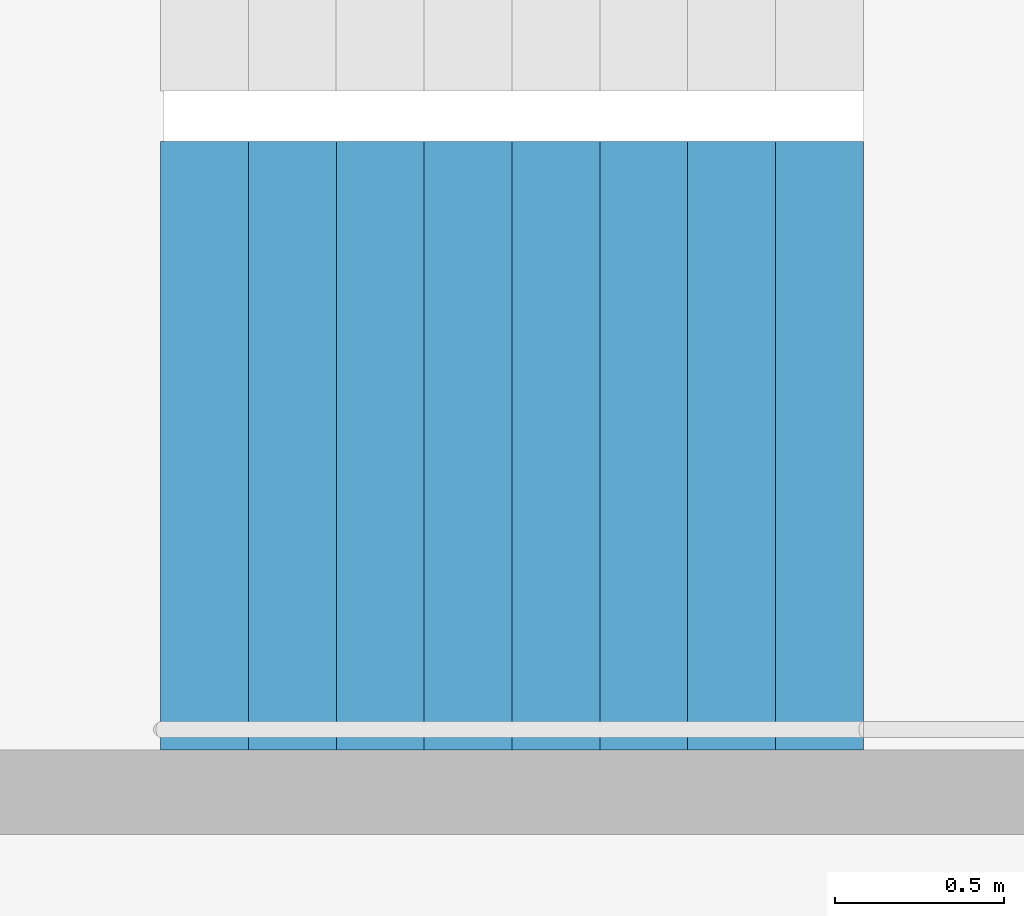
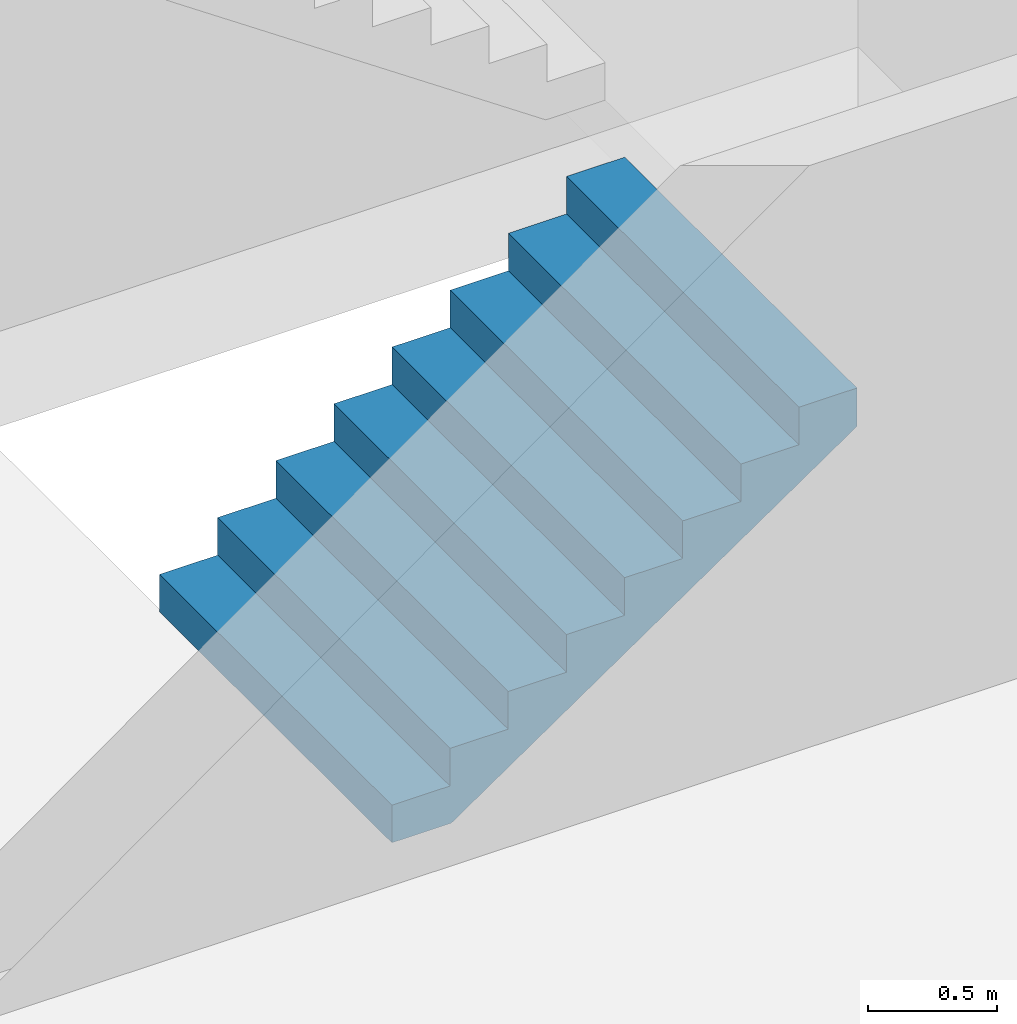
# One storey, part 19 of 30: 1 stair flight, 1 element without a shape of its own.
"""IFC4 building model written with IfcOpenShell, lengths in metres."""

from ifc_helpers import new_model, si_unit, direction, frame, origin, place, context, subcontext, project, spatial, triangles, material, type_object, element, aggregate, save


model = new_model("IFC4")

# Units and contexts
model_context = context("Model", 3, precision=1e-05, world=origin(), true_north=direction((0.0, 1.0)))
body_context = subcontext(model_context, "Body", "Model", "MODEL_VIEW")
ifc_project = project(units=[si_unit("LENGTHUNIT", "METRE"), si_unit("AREAUNIT", "SQUARE_METRE"), si_unit("VOLUMEUNIT", "CUBIC_METRE"), si_unit("PLANEANGLEUNIT", "RADIAN"), si_unit("MASSUNIT", "GRAM", prefix="KILO")], contexts=[model_context])

# Site, building, storey
site_placement = place(None, origin())
site = spatial("IfcSite", under=ifc_project, at=site_placement, CompositionType="ELEMENT")
building_placement = place(site_placement, origin())
building = spatial("IfcBuilding", under=site, at=building_placement, Name="Hakoniwa Tower and Hamabe Station Hall", CompositionType="ELEMENT")
storey_placement = place(building_placement, frame((0.0, 0.0, 137.39990234375)))
storey = spatial("IfcBuildingStorey", under=building, at=storey_placement, Name="L38", CompositionType="ELEMENT", Elevation=137.39990234375)

# Stair, stair flight
ifc_material_1 = material(Name="Concrete C40", Category="concrete")
stair_type = type_object("IfcStairType", Name="ESCAPE STAIR 1800", PredefinedType="HALF_TURN_STAIR", material=ifc_material_1)
stair_placement = place(storey_placement, origin())
stair = element("IfcStair", 1, at=stair_placement, inside=storey, type_object=stair_type, Name="Escape stair ST-1 L38", PredefinedType="HALF_TURN_STAIR")
ifc_material_2 = material(Name="Concrete C40", Category="concrete")
stair_flight_type = type_object("IfcStairFlightType", Name="STAIR FLIGHT 1800", PredefinedType="STRAIGHT", material=ifc_material_2)
stair_flight_placement = place(storey_placement, frame((-24.39990234375, 4.64990234375, 0.0), z_axis=(0.0, 0.0, 1.0), x_axis=(1.0, 0.0, 0.0)))
stair_flight = element("IfcStairFlight", 2, at=stair_flight_placement, type_object=stair_flight_type, Name="ST-1 flight 1", NumberOfRisers=9, NumberOfTreads=8, PredefinedType="STRAIGHT", RiserHeight=0.177777778, TreadLength=0.26, context=body_context, shape_type="Tessellation", body=[
    triangles([(0.0, 0.89990234375, 0.0), (0.260009765625, 0.89990234375, 0.0), (0.265625, 0.89990234375, 0.0), (0.52001953125, 0.89990234375, 0.174072265625), (0.780029296875, 0.89990234375, 0.351806640625), (1.0400390625, 0.89990234375, 0.529541015625), (1.300048828125, 0.89990234375, 0.707275390625), (1.56005859375, 0.89990234375, 0.885009765625), (1.820068359375, 0.89990234375, 1.062744140625), (2.080078125, 0.89990234375, 1.24072265625), (2.080078125, 0.89990234375, 1.422119140625), (1.820068359375, 0.89990234375, 1.422119140625), (1.820068359375, 0.89990234375, 1.244384765625), (1.56005859375, 0.89990234375, 1.244384765625), (1.56005859375, 0.89990234375, 1.066650390625), (1.300048828125, 0.89990234375, 1.066650390625), (1.300048828125, 0.89990234375, 0.888916015625), (1.0400390625, 0.89990234375, 0.888916015625), (1.0400390625, 0.89990234375, 0.711181640625), (0.780029296875, 0.89990234375, 0.711181640625), (0.780029296875, 0.89990234375, 0.533447265625), (0.52001953125, 0.89990234375, 0.533447265625), (0.52001953125, 0.89990234375, 0.35546875), (0.265625, 0.89990234375, 0.35546875), (0.260009765625, 0.89990234375, 0.35546875), (0.260009765625, 0.89990234375, 0.177734375), (0.0, 0.89990234375, 0.177734375), (0.0, 0.06005859375, 0.0), (0.260009765625, 0.06005859375, 0.0), (0.265625, 0.06005859375, 0.0), (0.52001953125, 0.06005859375, 0.174072265625), (0.780029296875, 0.06005859375, 0.351806640625), (1.0400390625, 0.06005859375, 0.529541015625), (1.300048828125, 0.06005859375, 0.707275390625), (1.56005859375, 0.06005859375, 0.885009765625), (1.820068359375, 0.06005859375, 1.062744140625), (2.080078125, 0.06005859375, 1.24072265625), (2.080078125, 0.06005859375, 1.422119140625), (1.820068359375, 0.06005859375, 1.422119140625), (1.820068359375, 0.06005859375, 1.244384765625), (1.56005859375, 0.06005859375, 1.244384765625), (1.56005859375, 0.06005859375, 1.066650390625), (1.300048828125, 0.06005859375, 1.066650390625), (1.300048828125, 0.06005859375, 0.888916015625), (1.0400390625, 0.06005859375, 0.888916015625), (1.0400390625, 0.06005859375, 0.711181640625), (0.780029296875, 0.06005859375, 0.711181640625), (0.780029296875, 0.06005859375, 0.533447265625), (0.52001953125, 0.06005859375, 0.533447265625), (0.52001953125, 0.06005859375, 0.35546875), (0.265625, 0.06005859375, 0.35546875), (0.260009765625, 0.06005859375, 0.35546875), (0.260009765625, 0.06005859375, 0.177734375), (0.0, 0.06005859375, 0.177734375), (0.0, 0.04296875, 0.0), (0.260009765625, 0.04296875, 0.0), (0.265625, 0.04296875, 0.0), (0.52001953125, 0.04296875, 0.174072265625), (0.780029296875, 0.04296875, 0.351806640625), (1.0400390625, 0.04296875, 0.529541015625), (1.300048828125, 0.04296875, 0.707275390625), (1.56005859375, 0.04296875, 0.885009765625), (1.820068359375, 0.04296875, 1.062744140625), (2.080078125, 0.04296875, 1.24072265625), (2.080078125, 0.04296875, 1.422119140625), (1.820068359375, 0.04296875, 1.422119140625), (1.820068359375, 0.04296875, 1.244384765625), (1.56005859375, 0.04296875, 1.244384765625), (1.56005859375, 0.04296875, 1.066650390625), (1.300048828125, 0.04296875, 1.066650390625), (1.300048828125, 0.04296875, 0.888916015625), (1.0400390625, 0.04296875, 0.888916015625), (1.0400390625, 0.04296875, 0.711181640625), (0.780029296875, 0.04296875, 0.711181640625), (0.780029296875, 0.04296875, 0.533447265625), (0.52001953125, 0.04296875, 0.533447265625), (0.52001953125, 0.04296875, 0.35546875), (0.265625, 0.04296875, 0.35546875), (0.260009765625, 0.04296875, 0.35546875), (0.260009765625, 0.04296875, 0.177734375), (0.0, 0.04296875, 0.177734375), (0.0, 0.025634765625, 0.0), (0.260009765625, 0.025634765625, 0.0), (0.265625, 0.025634765625, 0.0), (0.52001953125, 0.025634765625, 0.174072265625), (0.780029296875, 0.025634765625, 0.351806640625), (1.0400390625, 0.025634765625, 0.529541015625), (1.300048828125, 0.025634765625, 0.707275390625), (1.56005859375, 0.025634765625, 0.885009765625), (1.820068359375, 0.025634765625, 1.062744140625), (2.080078125, 0.025634765625, 1.24072265625), (2.080078125, 0.025634765625, 1.422119140625), (1.820068359375, 0.025634765625, 1.422119140625), (1.820068359375, 0.025634765625, 1.244384765625), (1.56005859375, 0.025634765625, 1.244384765625), (1.56005859375, 0.025634765625, 1.066650390625), (1.300048828125, 0.025634765625, 1.066650390625), (1.300048828125, 0.025634765625, 0.888916015625), (1.0400390625, 0.025634765625, 0.888916015625), (1.0400390625, 0.025634765625, 0.711181640625), (0.780029296875, 0.025634765625, 0.711181640625), (0.780029296875, 0.025634765625, 0.533447265625), (0.52001953125, 0.025634765625, 0.533447265625), (0.52001953125, 0.025634765625, 0.35546875), (0.265625, 0.025634765625, 0.35546875), (0.260009765625, 0.025634765625, 0.35546875), (0.260009765625, 0.025634765625, 0.177734375), (0.0, 0.025634765625, 0.177734375), (0.0, 0.008544921875, 0.0), (0.260009765625, 0.008544921875, 0.0), (0.265625, 0.008544921875, 0.0), (0.52001953125, 0.008544921875, 0.174072265625), (0.780029296875, 0.008544921875, 0.351806640625), (1.0400390625, 0.008544921875, 0.529541015625), (1.300048828125, 0.008544921875, 0.707275390625), (1.56005859375, 0.008544921875, 0.885009765625), (1.820068359375, 0.008544921875, 1.062744140625), (2.080078125, 0.008544921875, 1.24072265625), (2.080078125, 0.008544921875, 1.422119140625), (1.820068359375, 0.008544921875, 1.422119140625), (1.820068359375, 0.008544921875, 1.244384765625), (1.56005859375, 0.008544921875, 1.244384765625), (1.56005859375, 0.008544921875, 1.066650390625), (1.300048828125, 0.008544921875, 1.066650390625), (1.300048828125, 0.008544921875, 0.888916015625), (1.0400390625, 0.008544921875, 0.888916015625), (1.0400390625, 0.008544921875, 0.711181640625), (0.780029296875, 0.008544921875, 0.711181640625), (0.780029296875, 0.008544921875, 0.533447265625), (0.52001953125, 0.008544921875, 0.533447265625), (0.52001953125, 0.008544921875, 0.35546875), (0.265625, 0.008544921875, 0.35546875), (0.260009765625, 0.008544921875, 0.35546875), (0.260009765625, 0.008544921875, 0.177734375), (0.0, 0.008544921875, 0.177734375), (0.0, -0.008544921875, 0.0), (0.260009765625, -0.008544921875, 0.0), (0.265625, -0.008544921875, 0.0), (0.52001953125, -0.008544921875, 0.174072265625), (0.780029296875, -0.008544921875, 0.351806640625), (1.0400390625, -0.008544921875, 0.529541015625), (1.300048828125, -0.008544921875, 0.707275390625), (1.56005859375, -0.008544921875, 0.885009765625), (1.820068359375, -0.008544921875, 1.062744140625), (2.080078125, -0.008544921875, 1.24072265625), (2.080078125, -0.008544921875, 1.422119140625), (1.820068359375, -0.008544921875, 1.422119140625), (1.820068359375, -0.008544921875, 1.244384765625), (1.56005859375, -0.008544921875, 1.244384765625), (1.56005859375, -0.008544921875, 1.066650390625), (1.300048828125, -0.008544921875, 1.066650390625), (1.300048828125, -0.008544921875, 0.888916015625), (1.0400390625, -0.008544921875, 0.888916015625), (1.0400390625, -0.008544921875, 0.711181640625), (0.780029296875, -0.008544921875, 0.711181640625), (0.780029296875, -0.008544921875, 0.533447265625), (0.52001953125, -0.008544921875, 0.533447265625), (0.52001953125, -0.008544921875, 0.35546875), (0.265625, -0.008544921875, 0.35546875), (0.260009765625, -0.008544921875, 0.35546875), (0.260009765625, -0.008544921875, 0.177734375), (0.0, -0.008544921875, 0.177734375), (0.0, -0.025634765625, 0.0), (0.260009765625, -0.025634765625, 0.0), (0.265625, -0.025634765625, 0.0), (0.52001953125, -0.025634765625, 0.174072265625), (0.780029296875, -0.025634765625, 0.351806640625), (1.0400390625, -0.025634765625, 0.529541015625), (1.300048828125, -0.025634765625, 0.707275390625), (1.56005859375, -0.025634765625, 0.885009765625), (1.820068359375, -0.025634765625, 1.062744140625), (2.080078125, -0.025634765625, 1.24072265625), (2.080078125, -0.025634765625, 1.422119140625), (1.820068359375, -0.025634765625, 1.422119140625), (1.820068359375, -0.025634765625, 1.244384765625), (1.56005859375, -0.025634765625, 1.244384765625), (1.56005859375, -0.025634765625, 1.066650390625), (1.300048828125, -0.025634765625, 1.066650390625), (1.300048828125, -0.025634765625, 0.888916015625), (1.0400390625, -0.025634765625, 0.888916015625), (1.0400390625, -0.025634765625, 0.711181640625), (0.780029296875, -0.025634765625, 0.711181640625), (0.780029296875, -0.025634765625, 0.533447265625), (0.52001953125, -0.025634765625, 0.533447265625), (0.52001953125, -0.025634765625, 0.35546875), (0.265625, -0.025634765625, 0.35546875), (0.260009765625, -0.025634765625, 0.35546875), (0.260009765625, -0.025634765625, 0.177734375), (0.0, -0.025634765625, 0.177734375), (0.0, -0.04296875, 0.0), (0.260009765625, -0.04296875, 0.0), (0.265625, -0.04296875, 0.0), (0.52001953125, -0.04296875, 0.174072265625), (0.780029296875, -0.04296875, 0.351806640625), (1.0400390625, -0.04296875, 0.529541015625), (1.300048828125, -0.04296875, 0.707275390625), (1.56005859375, -0.04296875, 0.885009765625), (1.820068359375, -0.04296875, 1.062744140625), (2.080078125, -0.04296875, 1.24072265625), (2.080078125, -0.04296875, 1.422119140625), (1.820068359375, -0.04296875, 1.422119140625), (1.820068359375, -0.04296875, 1.244384765625), (1.56005859375, -0.04296875, 1.244384765625), (1.56005859375, -0.04296875, 1.066650390625), (1.300048828125, -0.04296875, 1.066650390625), (1.300048828125, -0.04296875, 0.888916015625), (1.0400390625, -0.04296875, 0.888916015625), (1.0400390625, -0.04296875, 0.711181640625), (0.780029296875, -0.04296875, 0.711181640625), (0.780029296875, -0.04296875, 0.533447265625), (0.52001953125, -0.04296875, 0.533447265625), (0.52001953125, -0.04296875, 0.35546875), (0.265625, -0.04296875, 0.35546875), (0.260009765625, -0.04296875, 0.35546875), (0.260009765625, -0.04296875, 0.177734375), (0.0, -0.04296875, 0.177734375), (0.0, -0.06005859375, 0.0), (0.260009765625, -0.06005859375, 0.0), (0.265625, -0.06005859375, 0.0), (0.52001953125, -0.06005859375, 0.174072265625), (0.780029296875, -0.06005859375, 0.351806640625), (1.0400390625, -0.06005859375, 0.529541015625), (1.300048828125, -0.06005859375, 0.707275390625), (1.56005859375, -0.06005859375, 0.885009765625), (1.820068359375, -0.06005859375, 1.062744140625), (2.080078125, -0.06005859375, 1.24072265625), (2.080078125, -0.06005859375, 1.422119140625), (1.820068359375, -0.06005859375, 1.422119140625), (1.820068359375, -0.06005859375, 1.244384765625), (1.56005859375, -0.06005859375, 1.244384765625), (1.56005859375, -0.06005859375, 1.066650390625), (1.300048828125, -0.06005859375, 1.066650390625), (1.300048828125, -0.06005859375, 0.888916015625), (1.0400390625, -0.06005859375, 0.888916015625), (1.0400390625, -0.06005859375, 0.711181640625), (0.780029296875, -0.06005859375, 0.711181640625), (0.780029296875, -0.06005859375, 0.533447265625), (0.52001953125, -0.06005859375, 0.533447265625), (0.52001953125, -0.06005859375, 0.35546875), (0.265625, -0.06005859375, 0.35546875), (0.260009765625, -0.06005859375, 0.35546875), (0.260009765625, -0.06005859375, 0.177734375), (0.0, -0.06005859375, 0.177734375), (0.0, -0.89990234375, 0.0), (0.260009765625, -0.89990234375, 0.0), (0.265625, -0.89990234375, 0.0), (0.52001953125, -0.89990234375, 0.174072265625), (0.780029296875, -0.89990234375, 0.351806640625), (1.0400390625, -0.89990234375, 0.529541015625), (1.300048828125, -0.89990234375, 0.707275390625), (1.56005859375, -0.89990234375, 0.885009765625), (1.820068359375, -0.89990234375, 1.062744140625), (2.080078125, -0.89990234375, 1.24072265625), (2.080078125, -0.89990234375, 1.422119140625), (1.820068359375, -0.89990234375, 1.422119140625), (1.820068359375, -0.89990234375, 1.244384765625), (1.56005859375, -0.89990234375, 1.244384765625), (1.56005859375, -0.89990234375, 1.066650390625), (1.300048828125, -0.89990234375, 1.066650390625), (1.300048828125, -0.89990234375, 0.888916015625), (1.0400390625, -0.89990234375, 0.888916015625), (1.0400390625, -0.89990234375, 0.711181640625), (0.780029296875, -0.89990234375, 0.711181640625), (0.780029296875, -0.89990234375, 0.533447265625), (0.52001953125, -0.89990234375, 0.533447265625), (0.52001953125, -0.89990234375, 0.35546875), (0.265625, -0.89990234375, 0.35546875), (0.260009765625, -0.89990234375, 0.35546875), (0.260009765625, -0.89990234375, 0.177734375), (0.0, -0.89990234375, 0.177734375)], [[2, 27, 26], [245, 269, 270], [2, 1, 27], [245, 270, 244], [3, 25, 24], [246, 267, 268], [3, 26, 25], [246, 268, 269], [3, 2, 26], [246, 269, 245], [4, 24, 23], [247, 266, 267], [4, 3, 24], [247, 267, 246], [5, 22, 21], [248, 264, 265], [5, 23, 22], [248, 265, 266], [5, 4, 23], [248, 266, 247], [6, 20, 19], [249, 262, 263], [6, 21, 20], [249, 263, 264], [6, 5, 21], [249, 264, 248], [7, 18, 17], [250, 260, 261], [7, 19, 18], [250, 261, 262], [7, 6, 19], [250, 262, 249], [8, 16, 15], [251, 258, 259], [8, 17, 16], [251, 259, 260], [8, 7, 17], [251, 260, 250], [9, 14, 13], [252, 256, 257], [9, 15, 14], [252, 257, 258], [9, 8, 15], [252, 258, 251], [10, 12, 11], [253, 254, 255], [10, 13, 12], [253, 255, 256], [10, 9, 13], [253, 256, 252], [1, 2, 29], [1, 29, 28], [28, 29, 56], [28, 56, 55], [55, 56, 83], [55, 83, 82], [82, 83, 110], [82, 110, 109], [109, 110, 137], [109, 137, 136], [136, 137, 164], [136, 164, 163], [163, 164, 191], [163, 191, 190], [190, 191, 218], [190, 218, 217], [217, 218, 245], [217, 245, 244], [2, 3, 30], [2, 30, 29], [29, 30, 57], [29, 57, 56], [56, 57, 84], [56, 84, 83], [83, 84, 111], [83, 111, 110], [110, 111, 138], [110, 138, 137], [137, 138, 165], [137, 165, 164], [164, 165, 192], [164, 192, 191], [191, 192, 219], [191, 219, 218], [218, 219, 246], [218, 246, 245], [3, 4, 31], [3, 31, 30], [30, 31, 58], [30, 58, 57], [57, 58, 85], [57, 85, 84], [84, 85, 112], [84, 112, 111], [111, 112, 139], [111, 139, 138], [138, 139, 166], [138, 166, 165], [165, 166, 193], [165, 193, 192], [192, 193, 220], [192, 220, 219], [219, 220, 247], [219, 247, 246], [4, 5, 32], [4, 32, 31], [31, 32, 59], [31, 59, 58], [58, 59, 86], [58, 86, 85], [85, 86, 113], [85, 113, 112], [112, 113, 140], [112, 140, 139], [139, 140, 167], [139, 167, 166], [166, 167, 194], [166, 194, 193], [193, 194, 221], [193, 221, 220], [220, 221, 248], [220, 248, 247], [5, 6, 33], [5, 33, 32], [32, 33, 60], [32, 60, 59], [59, 60, 87], [59, 87, 86], [86, 87, 114], [86, 114, 113], [113, 114, 141], [113, 141, 140], [140, 141, 168], [140, 168, 167], [167, 168, 195], [167, 195, 194], [194, 195, 222], [194, 222, 221], [221, 222, 249], [221, 249, 248], [6, 7, 34], [6, 34, 33], [33, 34, 61], [33, 61, 60], [60, 61, 88], [60, 88, 87], [87, 88, 115], [87, 115, 114], [114, 115, 142], [114, 142, 141], [141, 142, 169], [141, 169, 168], [168, 169, 196], [168, 196, 195], [195, 196, 223], [195, 223, 222], [222, 223, 250], [222, 250, 249], [7, 8, 35], [7, 35, 34], [34, 35, 62], [34, 62, 61], [61, 62, 89], [61, 89, 88], [88, 89, 116], [88, 116, 115], [115, 116, 143], [115, 143, 142], [142, 143, 170], [142, 170, 169], [169, 170, 197], [169, 197, 196], [196, 197, 224], [196, 224, 223], [223, 224, 251], [223, 251, 250], [8, 9, 36], [8, 36, 35], [35, 36, 63], [35, 63, 62], [62, 63, 90], [62, 90, 89], [89, 90, 117], [89, 117, 116], [116, 117, 144], [116, 144, 143], [143, 144, 171], [143, 171, 170], [170, 171, 198], [170, 198, 197], [197, 198, 225], [197, 225, 224], [224, 225, 252], [224, 252, 251], [9, 10, 37], [9, 37, 36], [36, 37, 64], [36, 64, 63], [63, 64, 91], [63, 91, 90], [90, 91, 118], [90, 118, 117], [117, 118, 145], [117, 145, 144], [144, 145, 172], [144, 172, 171], [171, 172, 199], [171, 199, 198], [198, 199, 226], [198, 226, 225], [225, 226, 253], [225, 253, 252], [10, 11, 38], [10, 38, 37], [37, 38, 65], [37, 65, 64], [64, 65, 92], [64, 92, 91], [91, 92, 119], [91, 119, 118], [118, 119, 146], [118, 146, 145], [145, 146, 173], [145, 173, 172], [172, 173, 200], [172, 200, 199], [199, 200, 227], [199, 227, 226], [226, 227, 254], [226, 254, 253], [11, 12, 39], [11, 39, 38], [38, 39, 66], [38, 66, 65], [65, 66, 93], [65, 93, 92], [92, 93, 120], [92, 120, 119], [119, 120, 147], [119, 147, 146], [146, 147, 174], [146, 174, 173], [173, 174, 201], [173, 201, 200], [200, 201, 228], [200, 228, 227], [227, 228, 255], [227, 255, 254], [12, 13, 40], [12, 40, 39], [39, 40, 67], [39, 67, 66], [66, 67, 94], [66, 94, 93], [93, 94, 121], [93, 121, 120], [120, 121, 148], [120, 148, 147], [147, 148, 175], [147, 175, 174], [174, 175, 202], [174, 202, 201], [201, 202, 229], [201, 229, 228], [228, 229, 256], [228, 256, 255], [13, 14, 41], [13, 41, 40], [40, 41, 68], [40, 68, 67], [67, 68, 95], [67, 95, 94], [94, 95, 122], [94, 122, 121], [121, 122, 149], [121, 149, 148], [148, 149, 176], [148, 176, 175], [175, 176, 203], [175, 203, 202], [202, 203, 230], [202, 230, 229], [229, 230, 257], [229, 257, 256], [14, 15, 42], [14, 42, 41], [41, 42, 69], [41, 69, 68], [68, 69, 96], [68, 96, 95], [95, 96, 123], [95, 123, 122], [122, 123, 150], [122, 150, 149], [149, 150, 177], [149, 177, 176], [176, 177, 204], [176, 204, 203], [203, 204, 231], [203, 231, 230], [230, 231, 258], [230, 258, 257], [15, 16, 43], [15, 43, 42], [42, 43, 70], [42, 70, 69], [69, 70, 97], [69, 97, 96], [96, 97, 124], [96, 124, 123], [123, 124, 151], [123, 151, 150], [150, 151, 178], [150, 178, 177], [177, 178, 205], [177, 205, 204], [204, 205, 232], [204, 232, 231], [231, 232, 259], [231, 259, 258], [16, 17, 44], [16, 44, 43], [43, 44, 71], [43, 71, 70], [70, 71, 98], [70, 98, 97], [97, 98, 125], [97, 125, 124], [124, 125, 152], [124, 152, 151], [151, 152, 179], [151, 179, 178], [178, 179, 206], [178, 206, 205], [205, 206, 233], [205, 233, 232], [232, 233, 260], [232, 260, 259], [17, 18, 45], [17, 45, 44], [44, 45, 72], [44, 72, 71], [71, 72, 99], [71, 99, 98], [98, 99, 126], [98, 126, 125], [125, 126, 153], [125, 153, 152], [152, 153, 180], [152, 180, 179], [179, 180, 207], [179, 207, 206], [206, 207, 234], [206, 234, 233], [233, 234, 261], [233, 261, 260], [18, 19, 46], [18, 46, 45], [45, 46, 73], [45, 73, 72], [72, 73, 100], [72, 100, 99], [99, 100, 127], [99, 127, 126], [126, 127, 154], [126, 154, 153], [153, 154, 181], [153, 181, 180], [180, 181, 208], [180, 208, 207], [207, 208, 235], [207, 235, 234], [234, 235, 262], [234, 262, 261], [19, 20, 47], [19, 47, 46], [46, 47, 74], [46, 74, 73], [73, 74, 101], [73, 101, 100], [100, 101, 128], [100, 128, 127], [127, 128, 155], [127, 155, 154], [154, 155, 182], [154, 182, 181], [181, 182, 209], [181, 209, 208], [208, 209, 236], [208, 236, 235], [235, 236, 263], [235, 263, 262], [20, 21, 48], [20, 48, 47], [47, 48, 75], [47, 75, 74], [74, 75, 102], [74, 102, 101], [101, 102, 129], [101, 129, 128], [128, 129, 156], [128, 156, 155], [155, 156, 183], [155, 183, 182], [182, 183, 210], [182, 210, 209], [209, 210, 237], [209, 237, 236], [236, 237, 264], [236, 264, 263], [21, 22, 49], [21, 49, 48], [48, 49, 76], [48, 76, 75], [75, 76, 103], [75, 103, 102], [102, 103, 130], [102, 130, 129], [129, 130, 157], [129, 157, 156], [156, 157, 184], [156, 184, 183], [183, 184, 211], [183, 211, 210], [210, 211, 238], [210, 238, 237], [237, 238, 265], [237, 265, 264], [22, 23, 50], [22, 50, 49], [49, 50, 77], [49, 77, 76], [76, 77, 104], [76, 104, 103], [103, 104, 131], [103, 131, 130], [130, 131, 158], [130, 158, 157], [157, 158, 185], [157, 185, 184], [184, 185, 212], [184, 212, 211], [211, 212, 239], [211, 239, 238], [238, 239, 266], [238, 266, 265], [23, 24, 51], [23, 51, 50], [50, 51, 78], [50, 78, 77], [77, 78, 105], [77, 105, 104], [104, 105, 132], [104, 132, 131], [131, 132, 159], [131, 159, 158], [158, 159, 186], [158, 186, 185], [185, 186, 213], [185, 213, 212], [212, 213, 240], [212, 240, 239], [239, 240, 267], [239, 267, 266], [24, 25, 52], [24, 52, 51], [51, 52, 79], [51, 79, 78], [78, 79, 106], [78, 106, 105], [105, 106, 133], [105, 133, 132], [132, 133, 160], [132, 160, 159], [159, 160, 187], [159, 187, 186], [186, 187, 214], [186, 214, 213], [213, 214, 241], [213, 241, 240], [240, 241, 268], [240, 268, 267], [25, 26, 53], [25, 53, 52], [52, 53, 80], [52, 80, 79], [79, 80, 107], [79, 107, 106], [106, 107, 134], [106, 134, 133], [133, 134, 161], [133, 161, 160], [160, 161, 188], [160, 188, 187], [187, 188, 215], [187, 215, 214], [214, 215, 242], [214, 242, 241], [241, 242, 269], [241, 269, 268], [26, 27, 54], [26, 54, 53], [53, 54, 81], [53, 81, 80], [80, 81, 108], [80, 108, 107], [107, 108, 135], [107, 135, 134], [134, 135, 162], [134, 162, 161], [161, 162, 189], [161, 189, 188], [188, 189, 216], [188, 216, 215], [215, 216, 243], [215, 243, 242], [242, 243, 270], [242, 270, 269], [27, 1, 28], [27, 28, 54], [54, 28, 55], [54, 55, 81], [81, 55, 82], [81, 82, 108], [108, 82, 109], [108, 109, 135], [135, 109, 136], [135, 136, 162], [162, 136, 163], [162, 163, 189], [189, 163, 190], [189, 190, 216], [216, 190, 217], [216, 217, 243], [243, 217, 244], [243, 244, 270]], closed=True),
])
aggregate(stair, [stair_flight])

save(model, "model.ifc")
